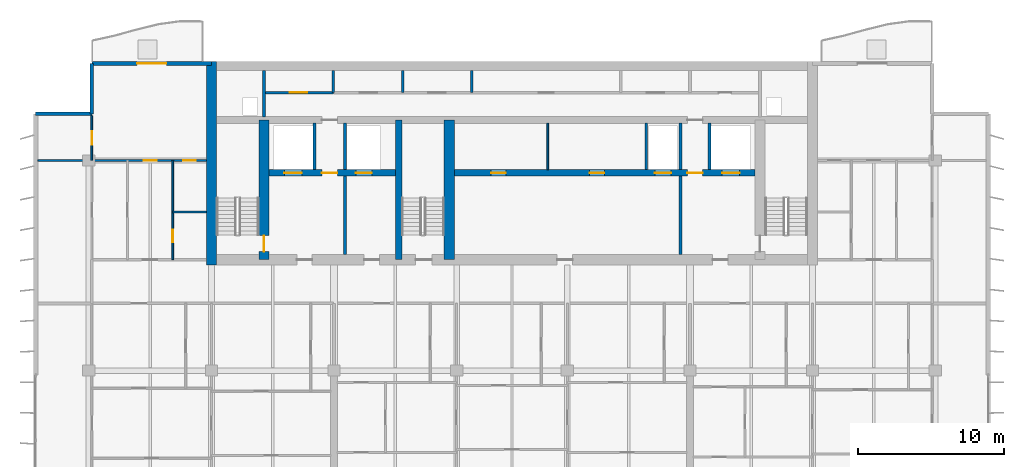
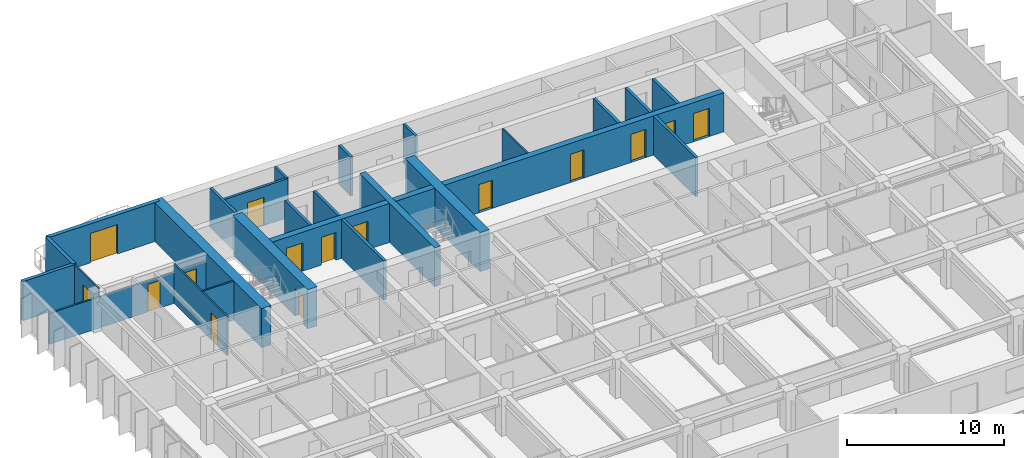
# One storey, part 10 of 16: 25 walls, 15 doors, 15 openings.
"""IFC4 building model written with IfcOpenShell, lengths in metres."""

from ifc_helpers import new_model, si_unit, direction, frame, frame_2d, origin, place, context, subcontext, project, spatial, rectangle, extrude, material, layer, layer_set, type_object, element, fill, save


model = new_model("IFC4")

# Units and contexts
model_context = context("Model", 3, precision=1e-05, world=origin(), true_north=direction((0.0, 1.0)))
body_context = subcontext(model_context, "Body", "Model", "MODEL_VIEW")
ifc_project = project(units=[si_unit("LENGTHUNIT", "METRE"), si_unit("AREAUNIT", "SQUARE_METRE"), si_unit("VOLUMEUNIT", "CUBIC_METRE"), si_unit("PLANEANGLEUNIT", "RADIAN"), si_unit("MASSUNIT", "GRAM", prefix="KILO")], contexts=[model_context])

# Site, building, storey
site_placement = place(None, origin())
site = spatial("IfcSite", under=ifc_project, at=site_placement, CompositionType="ELEMENT")
building_placement = place(site_placement, origin())
building = spatial("IfcBuilding", under=site, at=building_placement, Name="Caelmar Bay Residences", CompositionType="ELEMENT")
storey_placement = place(building_placement, frame((0.0, 0.0, 211.5)))
storey = spatial("IfcBuildingStorey", under=building, at=storey_placement, Name="L59", CompositionType="ELEMENT", Elevation=211.5)

# Wall
ifc_material_1 = material(Name="Concrete f'c 55 MPa (8,000 psi)", Category="concrete")
ifc_layer_1 = layer(ifc_material_1, 0.699951171875)
ifc_layer_set_1 = layer_set([ifc_layer_1], Name="Concrete f'c 55 MPa (8,000 psi)")
wall_type_1 = type_object("IfcWallType", Name="SW-COR-700", PredefinedType="SHEAR", material=ifc_layer_set_1)
wall_1_placement = place(storey_placement, frame((18.300048828125, 36.64990234375, 0.0), z_axis=(0.0, 0.0, 1.0), x_axis=(0.0, 1.0, 0.0)))
element("IfcWall", 1, at=wall_1_placement, inside=storey, type_object=wall_type_1, Name="L59 Rear Core West Shear Wall", PredefinedType="SHEAR", context=body_context, shape_type="SweptSolid", body=[
    extrude(rectangle(XDim=13.9501953125, YDim=0.699951171875, at=frame_2d((6.97509765625, 0.0))), origin(), (0.0, 0.0, 1.0), 3.050048828125),
])

# Wall, opening, door
wall_2_placement = place(storey_placement, frame((21.89990234375, 37.0, 0.0), z_axis=(0.0, 0.0, 1.0), x_axis=(0.0, 1.0, 0.0)))
wall_2 = element("IfcWall", 2, at=wall_2_placement, inside=storey, type_object=wall_type_1, Name="L59 Core Structural Web Wall ST1E", PredefinedType="SHEAR", context=body_context, shape_type="SweptSolid", body=[
    extrude(rectangle(XDim=9.574951171875, YDim=0.699951171875, at=frame_2d((4.78759765625, 0.0))), origin(), (0.0, 0.0, 1.0), 3.050048828125),
])
opening_1_placement = place(wall_2_placement, frame((0.550048828125, 0.0, 0.0)))
opening_1 = element("IfcOpeningElement", 3, at=opening_1_placement, cuts=wall_2, Name="Opening D-L59-107", PredefinedType="OPENING", context=body_context, shape_type="SweptSolid", body=[
    extrude(rectangle(XDim=1.10009765625, YDim=2.14990234375, at=frame_2d((0.550048828125, 1.074951171875))), frame((0.0, 0.35986328125, 0.0), z_axis=(0.0, -1.0, 0.0), x_axis=(1.0, 0.0, 0.0)), (0.0, 0.0, 1.0), 0.719970703125),
])
ifc_material_2 = material(Name="Fire-rated steel and walnut architectural door assembly", Category="steel")
ifc_layer_2 = layer(ifc_material_2, 0.050048828125)
ifc_layer_set_2 = layer_set([ifc_layer_2], Name="Fire-rated steel and walnut architectural door assembly")
door_type_1 = type_object("IfcDoorType", Name="D-STAIR-1100", OperationType="NOTDEFINED", PredefinedType="DOOR", material=ifc_layer_set_2)
door_1_placement = place(opening_1_placement, origin())
door_1 = element("IfcDoor", 4, at=door_1_placement, inside=storey, type_object=door_type_1, Name="L59 Firefighting Lobby West Door", OperationType="SINGLE_SWING_LEFT", OverallHeight=2.14990234375, OverallWidth=1.10009765625, PredefinedType="DOOR", context=body_context, shape_type="SweptSolid", body=[
    extrude(rectangle(XDim=1.10009765625, YDim=2.14990234375, at=frame_2d((0.550048828125, 1.074951171875))), frame((0.0, 0.02490234375, 0.0), z_axis=(0.0, -1.0, 0.0), x_axis=(1.0, 0.0, 0.0)), (0.0, 0.0, 1.0), 0.050048828125),
])
fill(opening_1, door_1)

# Walls
wall_3_placement = place(storey_placement, frame((34.60009765625, 37.0, 0.0), z_axis=(0.0, 0.0, 1.0), x_axis=(0.0, 1.0, 0.0)))
element("IfcWall", 5, at=wall_3_placement, inside=storey, type_object=wall_type_1, Name="L59 Core Structural Web Wall ST3E", PredefinedType="SHEAR", context=body_context, shape_type="SweptSolid", body=[
    extrude(rectangle(XDim=9.574951171875, YDim=0.699951171875, at=frame_2d((4.78759765625, 0.0))), origin(), (0.0, 0.0, 1.0), 3.050048828125),
])
ifc_material_3 = material(Name="Concrete f'c 70 MPa (10,000 psi)", Category="concrete")
ifc_layer_3 = layer(ifc_material_3, 0.449951171875)
ifc_layer_set_3 = layer_set([ifc_layer_3], Name="Concrete f'c 70 MPa (10,000 psi)")
wall_type_2 = type_object("IfcWallType", Name="SW-WEB-450", PredefinedType="SHEAR", material=ifc_layer_set_3)
wall_4_placement = place(storey_placement, frame((31.125, 37.0, 0.0), z_axis=(0.0, 0.0, 1.0), x_axis=(0.0, 1.0, 0.0)))
element("IfcWall", 6, at=wall_4_placement, inside=storey, type_object=wall_type_2, Name="L59 Core Structural Web Wall ST3W", PredefinedType="SHEAR", context=body_context, shape_type="SweptSolid", body=[
    extrude(rectangle(XDim=9.574951171875, YDim=0.449951171875, at=frame_2d((4.78759765625, 0.0))), origin(), (0.0, 0.0, 1.0), 3.050048828125),
])

# Wall, openings, doors
wall_5_placement = place(storey_placement, frame((22.25, 42.949951171875, 0.0), z_axis=(0.0, 0.0, 1.0), x_axis=(1.0, 0.0, 0.0)))
wall_5 = element("IfcWall", 7, at=wall_5_placement, inside=storey, type_object=wall_type_2, Name="L59 Core Structural Web Wall LFR", PredefinedType="SHEAR", context=body_context, shape_type="SweptSolid", body=[
    extrude(rectangle(XDim=33.300048828125, YDim=0.449951171875, at=frame_2d((16.64990234375, 0.0))), origin(), (0.0, 0.0, 1.0), 3.050048828125),
])
opening_2_placement = place(wall_5_placement, frame((1.050048828125, 0.0, 0.0)))
opening_2 = element("IfcOpeningElement", 8, at=opening_2_placement, cuts=wall_5, Name="Opening LD2", PredefinedType="OPENING", context=body_context, shape_type="SweptSolid", body=[
    extrude(rectangle(XDim=1.199951171875, YDim=2.199951171875, at=frame_2d((0.60009765625, 1.10009765625))), frame((0.0, 0.23486328125, 0.0), z_axis=(0.0, -1.0, 0.0), x_axis=(1.0, 0.0, 0.0)), (0.0, 0.0, 1.0), 0.469970703125),
])
opening_3_placement = place(wall_5_placement, frame((31.050048828125, 0.0, 0.0)))
opening_3 = element("IfcOpeningElement", 9, at=opening_3_placement, cuts=wall_5, Name="Opening LD2", PredefinedType="OPENING", context=body_context, shape_type="SweptSolid", body=[
    extrude(rectangle(XDim=1.199951171875, YDim=2.199951171875, at=frame_2d((0.60009765625, 1.10009765625))), frame((0.0, 0.23486328125, 0.0), z_axis=(0.0, -1.0, 0.0), x_axis=(1.0, 0.0, 0.0)), (0.0, 0.0, 1.0), 0.469970703125),
])
opening_4_placement = place(wall_5_placement, frame((26.449951171875, 0.0, 0.0)))
opening_4 = element("IfcOpeningElement", 10, at=opening_4_placement, cuts=wall_5, Name="Opening LD1", PredefinedType="OPENING", context=body_context, shape_type="SweptSolid", body=[
    extrude(rectangle(XDim=1.10009765625, YDim=2.199951171875, at=frame_2d((0.550048828125, 1.10009765625))), frame((0.0, 0.23486328125, 0.0), z_axis=(0.0, -1.0, 0.0), x_axis=(1.0, 0.0, 0.0)), (0.0, 0.0, 1.0), 0.469970703125),
])
opening_5_placement = place(wall_5_placement, frame((5.949951171875, 0.0, 0.0)))
opening_5 = element("IfcOpeningElement", 11, at=opening_5_placement, cuts=wall_5, Name="Opening LD1", PredefinedType="OPENING", context=body_context, shape_type="SweptSolid", body=[
    extrude(rectangle(XDim=1.10009765625, YDim=2.199951171875, at=frame_2d((0.550048828125, 1.10009765625))), frame((0.0, 0.23486328125, 0.0), z_axis=(0.0, -1.0, 0.0), x_axis=(1.0, 0.0, 0.0)), (0.0, 0.0, 1.0), 0.469970703125),
])
opening_6_placement = place(wall_5_placement, frame((3.625, 0.0, 0.0)))
opening_6 = element("IfcOpeningElement", 12, at=opening_6_placement, cuts=wall_5, Name="Opening D-L59-108", PredefinedType="OPENING", context=body_context, shape_type="SweptSolid", body=[
    extrude(rectangle(XDim=1.050048828125, YDim=2.14990234375, at=frame_2d((0.52490234375, 1.074951171875))), frame((0.0, 0.23486328125, 0.0), z_axis=(0.0, -1.0, 0.0), x_axis=(1.0, 0.0, 0.0)), (0.0, 0.0, 1.0), 0.469970703125),
])
opening_7_placement = place(wall_5_placement, frame((28.675048828125, 0.0, 0.0)))
opening_7 = element("IfcOpeningElement", 13, at=opening_7_placement, cuts=wall_5, Name="Opening D-L59-111", PredefinedType="OPENING", context=body_context, shape_type="SweptSolid", body=[
    extrude(rectangle(XDim=1.050048828125, YDim=2.14990234375, at=frame_2d((0.52490234375, 1.074951171875))), frame((0.0, 0.23486328125, 0.0), z_axis=(0.0, -1.0, 0.0), x_axis=(1.0, 0.0, 0.0)), (0.0, 0.0, 1.0), 0.469970703125),
])
opening_8_placement = place(wall_5_placement, frame((15.22509765625, 0.0, 0.0)))
opening_8 = element("IfcOpeningElement", 14, at=opening_8_placement, cuts=wall_5, Name="Opening D-L59-114", PredefinedType="OPENING", context=body_context, shape_type="SweptSolid", body=[
    extrude(rectangle(XDim=1.0, YDim=2.199951171875, at=frame_2d((0.5, 1.10009765625))), frame((0.0, 0.23486328125, 0.0), z_axis=(0.0, -1.0, 0.0), x_axis=(1.0, 0.0, 0.0)), (0.0, 0.0, 1.0), 0.469970703125),
])
opening_9_placement = place(wall_5_placement, frame((21.97509765625, 0.0, 0.0)))
opening_9 = element("IfcOpeningElement", 15, at=opening_9_placement, cuts=wall_5, Name="Opening D-L59-115", PredefinedType="OPENING", context=body_context, shape_type="SweptSolid", body=[
    extrude(rectangle(XDim=1.0, YDim=2.199951171875, at=frame_2d((0.5, 1.10009765625))), frame((0.0, 0.23486328125, 0.0), z_axis=(0.0, -1.0, 0.0), x_axis=(1.0, 0.0, 0.0)), (0.0, 0.0, 1.0), 0.469970703125),
])
ifc_layer_4 = layer(ifc_material_2, 0.050048828125)
ifc_layer_set_4 = layer_set([ifc_layer_4], Name="Fire-rated steel and walnut architectural door assembly")
door_type_2 = type_object("IfcDoorType", Name="D-FSAE-1050", OperationType="NOTDEFINED", PredefinedType="DOOR", material=ifc_layer_set_4)
door_2_placement = place(opening_6_placement, origin())
door_2 = element("IfcDoor", 16, at=door_2_placement, inside=storey, type_object=door_type_2, Name="L59 Firefighting Lobby West Door", OperationType="SINGLE_SWING_RIGHT", OverallHeight=2.14990234375, OverallWidth=1.050048828125, PredefinedType="DOOR", context=body_context, shape_type="SweptSolid", body=[
    extrude(rectangle(XDim=1.050048828125, YDim=2.14990234375, at=frame_2d((0.52490234375, 1.074951171875))), frame((0.0, 0.02490234375, 0.0), z_axis=(0.0, -1.0, 0.0), x_axis=(1.0, 0.0, 0.0)), (0.0, 0.0, 1.0), 0.050048828125),
])
fill(opening_6, door_2)
door_3_placement = place(opening_7_placement, origin())
door_3 = element("IfcDoor", 17, at=door_3_placement, inside=storey, type_object=door_type_2, Name="L59 Firefighting Lobby East Door", OperationType="SINGLE_SWING_LEFT", OverallHeight=2.14990234375, OverallWidth=1.050048828125, PredefinedType="DOOR", context=body_context, shape_type="SweptSolid", body=[
    extrude(rectangle(XDim=1.050048828125, YDim=2.14990234375, at=frame_2d((0.52490234375, 1.074951171875))), frame((0.0, 0.02490234375, 0.0), z_axis=(0.0, -1.0, 0.0), x_axis=(1.0, 0.0, 0.0)), (0.0, 0.0, 1.0), 0.050048828125),
])
fill(opening_7, door_3)
ifc_material_4 = material(Name="Brushed bronze stainless-steel fire-rated lift landing doors", Category="steel")
ifc_layer_5 = layer(ifc_material_4, 0.050048828125)
ifc_layer_set_5 = layer_set([ifc_layer_5], Name="Brushed bronze stainless-steel fire-rated lift landing doors")
door_type_3 = type_object("IfcDoorType", Name="D-LND-1100", OperationType="DOUBLE_DOOR_SLIDING", PredefinedType="DOOR", material=ifc_layer_set_5)
door_4_placement = place(opening_4_placement, origin())
door_4 = element("IfcDoor", 18, at=door_4_placement, inside=storey, type_object=door_type_3, Name="L59 LP6 Sliding Landing Door", OperationType="DOUBLE_DOOR_SLIDING", OverallHeight=2.199951171875, OverallWidth=1.10009765625, PredefinedType="DOOR", context=body_context, shape_type="SweptSolid", body=[
    extrude(rectangle(XDim=1.10009765625, YDim=2.199951171875, at=frame_2d((0.550048828125, 1.10009765625))), frame((0.0, 0.02490234375, 0.0), z_axis=(0.0, -1.0, 0.0), x_axis=(1.0, 0.0, 0.0)), (0.0, 0.0, 1.0), 0.050048828125),
])
fill(opening_4, door_4)
door_5_placement = place(opening_5_placement, origin())
door_5 = element("IfcDoor", 19, at=door_5_placement, inside=storey, type_object=door_type_3, Name="L59 LP7 Sliding Landing Door", OperationType="DOUBLE_DOOR_SLIDING", OverallHeight=2.199951171875, OverallWidth=1.10009765625, PredefinedType="DOOR", context=body_context, shape_type="SweptSolid", body=[
    extrude(rectangle(XDim=1.10009765625, YDim=2.199951171875, at=frame_2d((0.550048828125, 1.10009765625))), frame((0.0, 0.02490234375, 0.0), z_axis=(0.0, -1.0, 0.0), x_axis=(1.0, 0.0, 0.0)), (0.0, 0.0, 1.0), 0.050048828125),
])
fill(opening_5, door_5)
ifc_material_5 = material(Name="Brushed stainless-steel FSAE sliding landing door", Category="steel")
ifc_layer_6 = layer(ifc_material_5, 0.050048828125)
ifc_layer_set_6 = layer_set([ifc_layer_6], Name="Brushed stainless-steel FSAE sliding landing door")
door_type_4 = type_object("IfcDoorType", Name="D-LND-1200", OperationType="DOUBLE_DOOR_SLIDING", PredefinedType="DOOR", material=ifc_layer_set_6)
door_6_placement = place(opening_2_placement, origin())
door_6 = element("IfcDoor", 20, at=door_6_placement, inside=storey, type_object=door_type_4, Name="L59 LF1 Sliding Landing Door", OperationType="DOUBLE_DOOR_SLIDING", OverallHeight=2.199951171875, OverallWidth=1.199951171875, PredefinedType="DOOR", context=body_context, shape_type="SweptSolid", body=[
    extrude(rectangle(XDim=1.199951171875, YDim=2.199951171875, at=frame_2d((0.60009765625, 1.10009765625))), frame((0.0, 0.02490234375, 0.0), z_axis=(0.0, -1.0, 0.0), x_axis=(1.0, 0.0, 0.0)), (0.0, 0.0, 1.0), 0.050048828125),
])
fill(opening_2, door_6)
door_7_placement = place(opening_3_placement, origin())
door_7 = element("IfcDoor", 21, at=door_7_placement, inside=storey, type_object=door_type_4, Name="L59 LF2 Sliding Landing Door", OperationType="DOUBLE_DOOR_SLIDING", OverallHeight=2.199951171875, OverallWidth=1.199951171875, PredefinedType="DOOR", context=body_context, shape_type="SweptSolid", body=[
    extrude(rectangle(XDim=1.199951171875, YDim=2.199951171875, at=frame_2d((0.60009765625, 1.10009765625))), frame((0.0, 0.02490234375, 0.0), z_axis=(0.0, -1.0, 0.0), x_axis=(1.0, 0.0, 0.0)), (0.0, 0.0, 1.0), 0.050048828125),
])
fill(opening_3, door_7)
ifc_layer_7 = layer(ifc_material_2, 0.050048828125)
ifc_layer_set_7 = layer_set([ifc_layer_7], Name="Fire-rated steel and walnut architectural door assembly")
door_type_5 = type_object("IfcDoorType", Name="D-UNIT-1000", OperationType="NOTDEFINED", PredefinedType="DOOR", material=ifc_layer_set_7)
door_8_placement = place(opening_8_placement, origin())
door_8 = element("IfcDoor", 22, at=door_8_placement, inside=storey, type_object=door_type_5, Name="L59 Music Study Room Door", OperationType="SINGLE_SWING_RIGHT", OverallHeight=2.199951171875, OverallWidth=1.0, PredefinedType="DOOR", context=body_context, shape_type="SweptSolid", body=[
    extrude(rectangle(XDim=1.0, YDim=2.199951171875, at=frame_2d((0.5, 1.10009765625))), frame((0.0, 0.02490234375, 0.0), z_axis=(0.0, -1.0, 0.0), x_axis=(1.0, 0.0, 0.0)), (0.0, 0.0, 1.0), 0.050048828125),
])
fill(opening_8, door_8)
door_9_placement = place(opening_9_placement, origin())
door_9 = element("IfcDoor", 23, at=door_9_placement, inside=storey, type_object=door_type_5, Name="L59 Board Meeting Room Door", OperationType="SINGLE_SWING_LEFT", OverallHeight=2.199951171875, OverallWidth=1.0, PredefinedType="DOOR", context=body_context, shape_type="SweptSolid", body=[
    extrude(rectangle(XDim=1.0, YDim=2.199951171875, at=frame_2d((0.5, 1.10009765625))), frame((0.0, 0.02490234375, 0.0), z_axis=(0.0, -1.0, 0.0), x_axis=(1.0, 0.0, 0.0)), (0.0, 0.0, 1.0), 0.050048828125),
])
fill(opening_9, door_9)

# Walls
ifc_material_6 = material(Name="Double-stud acoustic fire-rated gypsum partition 180 mm")
ifc_layer_8 = layer(ifc_material_6, 0.179931640625)
ifc_layer_set_8 = layer_set([ifc_layer_8], Name="Double-stud acoustic fire-rated gypsum partition 180 mm")
wall_type_3 = type_object("IfcWallType", Name="W-COR-200", PredefinedType="PARTITIONING", material=ifc_layer_set_8)
for number, where, z_axis, x_axis, name in (
    (24, (26.64990234375, 48.449951171875, 0.0), (0.0, 0.0, 1.0), (0.0, 1.0, 0.0), "L59 Partition Wall V013"),
    (25, (31.39990234375, 48.449951171875, 0.0), (0.0, 0.0, 1.0), (0.0, 1.0, 0.0), "L59 Partition Wall V020"),
    (26, (36.14990234375, 48.449951171875, 0.0), (0.0, 0.0, 1.0), (0.0, 1.0, 0.0), "L59 Partition Wall V024"),
):
    element("IfcWall", number, at=place(storey_placement, frame(where, z_axis=z_axis, x_axis=x_axis)), inside=storey, type_object=wall_type_3, Name=name, PredefinedType="PARTITIONING", context=body_context, shape_type="SweptSolid", body=[
        extrude(rectangle(XDim=1.505126953125, YDim=0.179931640625, at=frame_2d((0.75244140625, 0.0))), origin(), (0.0, 0.0, 1.0), 3.050048828125),
    ])

# Wall, opening, door
wall_6_placement = place(storey_placement, frame((21.89990234375, 48.449951171875, 0.0), z_axis=(0.0, 0.0, 1.0), x_axis=(1.0, 0.0, 0.0)))
wall_6 = element("IfcWall", 27, at=wall_6_placement, inside=storey, type_object=wall_type_3, Name="L59 Partition Wall H078", PredefinedType="PARTITIONING", context=body_context, shape_type="SweptSolid", body=[
    extrude(rectangle(XDim=4.75, YDim=0.179931640625, at=frame_2d((2.375, 0.0))), origin(), (0.0, 0.0, 1.0), 3.050048828125),
])
opening_10_placement = place(wall_6_placement, frame((1.77490234375, 0.0, 0.0)))
opening_10 = element("IfcOpeningElement", 28, at=opening_10_placement, cuts=wall_6, Name="Opening D-L59-118", PredefinedType="OPENING", context=body_context, shape_type="SweptSolid", body=[
    extrude(rectangle(XDim=1.199951171875, YDim=2.199951171875, at=frame_2d((0.60009765625, 1.10009765625))), frame((0.0, 0.099853515625, 0.0), z_axis=(0.0, -1.0, 0.0), x_axis=(1.0, 0.0, 0.0)), (0.0, 0.0, 1.0), 0.199951171875),
])
ifc_layer_9 = layer(ifc_material_2, 0.050048828125)
ifc_layer_set_9 = layer_set([ifc_layer_9], Name="Fire-rated steel and walnut architectural door assembly")
door_type_6 = type_object("IfcDoorType", Name="D-PLANT-1200", OperationType="NOTDEFINED", PredefinedType="DOOR", material=ifc_layer_set_9)
door_10_placement = place(opening_10_placement, origin())
door_10 = element("IfcDoor", 29, at=door_10_placement, inside=storey, type_object=door_type_6, Name="L59 Branch Panel Closet Door", OperationType="SINGLE_SWING_RIGHT", OverallHeight=2.199951171875, OverallWidth=1.199951171875, PredefinedType="DOOR", context=body_context, shape_type="SweptSolid", body=[
    extrude(rectangle(XDim=1.199951171875, YDim=2.199951171875, at=frame_2d((0.60009765625, 1.10009765625))), frame((0.0, 0.02490234375, 0.0), z_axis=(0.0, -1.0, 0.0), x_axis=(1.0, 0.0, 0.0)), (0.0, 0.0, 1.0), 0.050048828125),
])
fill(opening_10, door_10)

# Walls
ifc_material_7 = material(Name="Precast concrete f'c 40 MPa (6,000 psi)", Category="concrete")
ifc_layer_10 = layer(ifc_material_7, 0.25)
ifc_layer_set_10 = layer_set([ifc_layer_10], Name="Precast concrete f'c 40 MPa (6,000 psi)")
wall_type_4 = type_object("IfcWallType", Name="W-EXT-250", PredefinedType="ELEMENTEDWALL", material=ifc_layer_set_10)
wall_7_placement = place(storey_placement, frame((6.25, 47.0, 0.0), z_axis=(0.0, 0.0, 1.0), x_axis=(1.0, 0.0, 0.0)))
element("IfcWall", 30, at=wall_7_placement, inside=storey, type_object=wall_type_4, Name="L59 NNW-H Notch Wall", PredefinedType="ELEMENTEDWALL", context=body_context, shape_type="SweptSolid", body=[
    extrude(rectangle(XDim=3.85009765625, YDim=0.25, at=frame_2d((1.925048828125, 0.0))), origin(), (0.0, 0.0, 1.0), 3.050048828125),
])
wall_8_placement = place(storey_placement, frame((10.10009765625, 47.0, 0.0), z_axis=(0.0, 0.0, 1.0), x_axis=(0.0, 1.0, 0.0)))
element("IfcWall", 31, at=wall_8_placement, inside=storey, type_object=wall_type_4, Name="L59 NNW-V Notch Wall", PredefinedType="ELEMENTEDWALL", context=body_context, shape_type="SweptSolid", body=[
    extrude(rectangle(XDim=3.449951171875, YDim=0.25, at=frame_2d((1.72509765625, 0.0))), origin(), (0.0, 0.0, 1.0), 3.050048828125),
])

# Wall, opening, door
ifc_layer_11 = layer(ifc_material_7, 0.300048828125)
ifc_layer_set_11 = layer_set([ifc_layer_11], Name="Precast concrete f'c 40 MPa (6,000 psi)")
wall_type_5 = type_object("IfcWallType", Name="W-EXT-300", PredefinedType="STANDARD", material=ifc_layer_set_11)
wall_9_placement = place(storey_placement, frame((10.10009765625, 50.449951171875, 0.0), z_axis=(0.0, 0.0, 1.0), x_axis=(1.0, 0.0, 0.0)))
wall_9 = element("IfcWall", 32, at=wall_9_placement, inside=storey, type_object=wall_type_5, Name="L59 North-West Wing Exterior Wall", PredefinedType="STANDARD", context=body_context, shape_type="SweptSolid", body=[
    extrude(rectangle(XDim=8.199951171875, YDim=0.300048828125, at=frame_2d((4.10009765625, 0.0))), origin(), (0.0, 0.0, 1.0), 3.050048828125),
])
opening_11_placement = place(wall_9_placement, frame((3.10009765625, 0.0, 0.0)))
opening_11 = element("IfcOpeningElement", 33, at=opening_11_placement, cuts=wall_9, Name="Opening L59-BDNW", PredefinedType="OPENING", context=body_context, shape_type="SweptSolid", body=[
    extrude(rectangle(XDim=2.0, YDim=2.300048828125, at=frame_2d((1.0, 1.14990234375))), frame((0.0, 0.159912109375, 0.0), z_axis=(0.0, -1.0, 0.0), x_axis=(1.0, 0.0, 0.0)), (0.0, 0.0, 1.0), 0.320068359375),
])
ifc_material_8 = material(Name="Anodised bronze thermally broken sliding glass door", Category="glass")
ifc_layer_12 = layer(ifc_material_8, 0.050048828125)
ifc_layer_set_12 = layer_set([ifc_layer_12], Name="Anodised bronze thermally broken sliding glass door")
door_type_7 = type_object("IfcDoorType", Name="D-BAL-2000", OperationType="DOUBLE_DOOR_SLIDING", PredefinedType="DOOR", material=ifc_layer_set_12)
door_11_placement = place(opening_11_placement, origin())
door_11 = element("IfcDoor", 34, at=door_11_placement, inside=storey, type_object=door_type_7, Name="L59 North-West Balcony Door", OperationType="DOUBLE_DOOR_SLIDING", OverallHeight=2.300048828125, OverallWidth=2.0, PredefinedType="DOOR", context=body_context, shape_type="SweptSolid", body=[
    extrude(rectangle(XDim=2.0, YDim=2.300048828125, at=frame_2d((1.0, 1.14990234375))), frame((0.0, 0.02490234375, 0.0), z_axis=(0.0, -1.0, 0.0), x_axis=(1.0, 0.0, 0.0)), (0.0, 0.0, 1.0), 0.050048828125),
])
fill(opening_11, door_11)

# Walls
ifc_material_9 = material(Name="Fire-rated masonry and gypsum shaftliner assembly 200 mm", Category="masonry")
ifc_layer_13 = layer(ifc_material_9, 0.199951171875)
ifc_layer_set_13 = layer_set([ifc_layer_13], Name="Fire-rated masonry and gypsum shaftliner assembly 200 mm")
wall_type_6 = type_object("IfcWallType", Name="W-FSAE-200", PredefinedType="PARTITIONING", material=ifc_layer_set_13)
wall_10_placement = place(storey_placement, frame((21.89990234375, 46.794921875, 0.0), z_axis=(0.0, 0.0, 1.0), x_axis=(0.0, 1.0, 0.0)))
element("IfcWall", 35, at=wall_10_placement, inside=storey, type_object=wall_type_6, Name="L59 Partition Wall V010", PredefinedType="PARTITIONING", context=body_context, shape_type="SweptSolid", body=[
    extrude(rectangle(XDim=3.16015625, YDim=0.199951171875, at=frame_2d((1.580078125, 0.0))), origin(), (0.0, 0.0, 1.0), 3.050048828125),
])
wall_11_placement = place(storey_placement, frame((25.35009765625, 43.169921875, 0.0), z_axis=(0.0, 0.0, 1.0), x_axis=(0.0, 1.0, 0.0)))
element("IfcWall", 36, at=wall_11_placement, inside=storey, type_object=wall_type_6, Name="L59 Partition Wall V012", PredefinedType="PARTITIONING", context=body_context, shape_type="SweptSolid", body=[
    extrude(rectangle(XDim=3.18505859375, YDim=0.199951171875, at=frame_2d((1.592529296875, 0.0))), origin(), (0.0, 0.0, 1.0), 3.050048828125),
])
wall_12_placement = place(storey_placement, frame((27.449951171875, 37.344970703125, 0.0), z_axis=(0.0, 0.0, 1.0), x_axis=(0.0, 1.0, 0.0)))
element("IfcWall", 37, at=wall_12_placement, inside=storey, type_object=wall_type_6, Name="L59 Partition Wall V017", PredefinedType="PARTITIONING", context=body_context, shape_type="SweptSolid", body=[
    extrude(rectangle(XDim=5.385009765625, YDim=0.199951171875, at=frame_2d((2.6923828125, 0.0))), origin(), (0.0, 0.0, 1.0), 3.050048828125),
])
for number, where, z_axis, x_axis, name in (
    (38, (27.449951171875, 43.169921875, 0.0), (0.0, 0.0, 1.0), (0.0, 1.0, 0.0), "L59 Partition Wall V018"),
    (39, (48.10009765625, 43.169921875, 0.0), (0.0, 0.0, 1.0), (0.0, 1.0, 0.0), "L59 Partition Wall V030"),
):
    element("IfcWall", number, at=place(storey_placement, frame(where, z_axis=z_axis, x_axis=x_axis)), inside=storey, type_object=wall_type_6, Name=name, PredefinedType="PARTITIONING", context=body_context, shape_type="SweptSolid", body=[
        extrude(rectangle(XDim=3.18505859375, YDim=0.199951171875, at=frame_2d((1.592529296875, 0.0))), origin(), (0.0, 0.0, 1.0), 3.050048828125),
    ])
wall_13_placement = place(storey_placement, frame((50.449951171875, 37.344970703125, 0.0), z_axis=(0.0, 0.0, 1.0), x_axis=(0.0, 1.0, 0.0)))
element("IfcWall", 40, at=wall_13_placement, inside=storey, type_object=wall_type_6, Name="L59 Partition Wall V032", PredefinedType="PARTITIONING", context=body_context, shape_type="SweptSolid", body=[
    extrude(rectangle(XDim=5.385009765625, YDim=0.199951171875, at=frame_2d((2.6923828125, 0.0))), origin(), (0.0, 0.0, 1.0), 3.050048828125),
])
for number, where, z_axis, x_axis, name in (
    (41, (50.449951171875, 43.169921875, 0.0), (0.0, 0.0, 1.0), (0.0, 1.0, 0.0), "L59 Partition Wall V033"),
    (42, (52.449951171875, 43.169921875, 0.0), (0.0, 0.0, 1.0), (0.0, 1.0, 0.0), "L59 Partition Wall V038"),
):
    element("IfcWall", number, at=place(storey_placement, frame(where, z_axis=z_axis, x_axis=x_axis)), inside=storey, type_object=wall_type_6, Name=name, PredefinedType="PARTITIONING", context=body_context, shape_type="SweptSolid", body=[
        extrude(rectangle(XDim=3.18505859375, YDim=0.199951171875, at=frame_2d((1.592529296875, 0.0))), origin(), (0.0, 0.0, 1.0), 3.050048828125),
    ])

# Wall, opening, door
ifc_material_10 = material(Name="Acoustic metal-stud gypsum partition 120 mm")
ifc_layer_14 = layer(ifc_material_10, 0.1201171875)
ifc_layer_set_14 = layer_set([ifc_layer_14], Name="Acoustic metal-stud gypsum partition 120 mm")
wall_type_7 = type_object("IfcWallType", Name="W-PRT-120", PredefinedType="PARTITIONING", material=ifc_layer_set_14)
wall_14_placement = place(storey_placement, frame((10.10009765625, 43.804931640625, 0.0), z_axis=(0.0, 0.0, 1.0), x_axis=(0.0, 1.0, 0.0)))
wall_14 = element("IfcWall", 43, at=wall_14_placement, inside=storey, type_object=wall_type_7, Name="L59 Partition Wall V004", PredefinedType="PARTITIONING", context=body_context, shape_type="SweptSolid", body=[
    extrude(rectangle(XDim=3.074951171875, YDim=0.1201171875, at=frame_2d((1.53759765625, 0.0))), origin(), (0.0, 0.0, 1.0), 3.050048828125),
])
opening_12_placement = place(wall_14_placement, frame((1.08740234375, 0.0, 0.0)))
opening_12 = element("IfcOpeningElement", 44, at=opening_12_placement, cuts=wall_14, Name="Opening D-L59-166", PredefinedType="OPENING", context=body_context, shape_type="SweptSolid", body=[
    extrude(rectangle(XDim=0.89990234375, YDim=2.14990234375, at=frame_2d((0.449951171875, 1.074951171875))), frame((0.0, 0.070068359375, 0.0), z_axis=(0.0, -1.0, 0.0), x_axis=(1.0, 0.0, 0.0)), (0.0, 0.0, 1.0), 0.14013671875),
])
ifc_material_11 = material(Name="Solid walnut timber interior door leaf and frame", Category="wood")
ifc_layer_15 = layer(ifc_material_11, 0.050048828125)
ifc_layer_set_15 = layer_set([ifc_layer_15], Name="Solid walnut timber interior door leaf and frame")
door_type_8 = type_object("IfcDoorType", Name="D-ROOM-900", OperationType="NOTDEFINED", PredefinedType="DOOR", material=ifc_layer_set_15)
door_12_placement = place(opening_12_placement, origin())
door_12 = element("IfcDoor", 45, at=door_12_placement, inside=storey, type_object=door_type_8, Name="L59 Residence WA North Sitting Alcove Door", OperationType="SINGLE_SWING_RIGHT", OverallHeight=2.14990234375, OverallWidth=0.89990234375, PredefinedType="DOOR", context=body_context, shape_type="SweptSolid", body=[
    extrude(rectangle(XDim=0.89990234375, YDim=2.14990234375, at=frame_2d((0.449951171875, 1.074951171875))), frame((0.0, 0.02490234375, 0.0), z_axis=(0.0, -1.0, 0.0), x_axis=(1.0, 0.0, 0.0)), (0.0, 0.0, 1.0), 0.050048828125),
])
fill(opening_12, door_12)

wall_15_placement = place(storey_placement, frame((15.64990234375, 37.0, 0.0), z_axis=(0.0, 0.0, 1.0), x_axis=(0.0, 1.0, 0.0)))
wall_15 = element("IfcWall", 46, at=wall_15_placement, inside=storey, type_object=wall_type_7, Name="L59 Partition Wall V006", PredefinedType="PARTITIONING", context=body_context, shape_type="SweptSolid", body=[
    extrude(rectangle(XDim=6.800048828125, YDim=0.1201171875, at=frame_2d((3.39990234375, 0.0))), origin(), (0.0, 0.0, 1.0), 3.050048828125),
])
opening_13_placement = place(wall_15_placement, frame((1.20703125, 0.0, 0.0)))
opening_13 = element("IfcOpeningElement", 47, at=opening_13_placement, cuts=wall_15, Name="Opening D-L59-163", PredefinedType="OPENING", context=body_context, shape_type="SweptSolid", body=[
    extrude(rectangle(XDim=0.85009765625, YDim=2.10009765625, at=frame_2d((0.425048828125, 1.050048828125))), frame((0.0, 0.070068359375, 0.0), z_axis=(0.0, -1.0, 0.0), x_axis=(1.0, 0.0, 0.0)), (0.0, 0.0, 1.0), 0.14013671875),
])
ifc_layer_16 = layer(ifc_material_11, 0.050048828125)
ifc_layer_set_16 = layer_set([ifc_layer_16], Name="Solid walnut timber interior door leaf and frame")
door_type_9 = type_object("IfcDoorType", Name="D-BATH-850", OperationType="NOTDEFINED", PredefinedType="DOOR", material=ifc_layer_set_16)
door_13_placement = place(opening_13_placement, origin())
door_13 = element("IfcDoor", 48, at=door_13_placement, inside=storey, type_object=door_type_9, Name="L59 Residence WA Walk-In Closet Door", OperationType="SINGLE_SWING_LEFT", OverallHeight=2.10009765625, OverallWidth=0.85009765625, PredefinedType="DOOR", context=body_context, shape_type="SweptSolid", body=[
    extrude(rectangle(XDim=0.85009765625, YDim=2.10009765625, at=frame_2d((0.425048828125, 1.050048828125))), frame((0.0, 0.02490234375, 0.0), z_axis=(0.0, -1.0, 0.0), x_axis=(1.0, 0.0, 0.0)), (0.0, 0.0, 1.0), 0.050048828125),
])
fill(opening_13, door_13)

# Walls
wall_16_placement = place(storey_placement, frame((41.35009765625, 43.169921875, 0.0), z_axis=(0.0, 0.0, 1.0), x_axis=(0.0, 1.0, 0.0)))
element("IfcWall", 49, at=wall_16_placement, inside=storey, type_object=wall_type_7, Name="L59 Partition Wall V026", PredefinedType="PARTITIONING", context=body_context, shape_type="SweptSolid", body=[
    extrude(rectangle(XDim=3.18505859375, YDim=0.1201171875, at=frame_2d((1.592529296875, 0.0))), origin(), (0.0, 0.0, 1.0), 3.050048828125),
])
wall_17_placement = place(storey_placement, frame((15.64990234375, 40.263916015625, 0.0), z_axis=(0.0, 0.0, 1.0), x_axis=(1.0, 0.0, 0.0)))
element("IfcWall", 50, at=wall_17_placement, inside=storey, type_object=wall_type_7, Name="L59 Partition Wall H074", PredefinedType="PARTITIONING", context=body_context, shape_type="SweptSolid", body=[
    extrude(rectangle(XDim=2.30517578125, YDim=0.1201171875, at=frame_2d((1.152587890625, 0.0))), origin(), (0.0, 0.0, 1.0), 3.050048828125),
])

# Wall, openings, doors
wall_18_placement = place(storey_placement, frame((6.39501953125, 43.800048828125, 0.0), z_axis=(0.0, 0.0, 1.0), x_axis=(1.0, 0.0, 0.0)))
wall_18 = element("IfcWall", 51, at=wall_18_placement, inside=storey, type_object=wall_type_7, Name="L59 Partition Wall H076", PredefinedType="PARTITIONING", context=body_context, shape_type="SweptSolid", body=[
    extrude(rectangle(XDim=11.56005859375, YDim=0.1201171875, at=frame_2d((5.780029296875, 0.0))), origin(), (0.0, 0.0, 1.0), 2.41796875),
])
opening_14_placement = place(wall_18_placement, frame((7.2509765625, 0.0, 0.0)))
opening_14 = element("IfcOpeningElement", 52, at=opening_14_placement, cuts=wall_18, Name="Opening D-L59-162", PredefinedType="OPENING", context=body_context, shape_type="SweptSolid", body=[
    extrude(rectangle(XDim=0.89990234375, YDim=2.14990234375, at=frame_2d((0.449951171875, 1.074951171875))), frame((0.0, 0.070068359375, 0.0), z_axis=(0.0, -1.0, 0.0), x_axis=(1.0, 0.0, 0.0)), (0.0, 0.0, 1.0), 0.14013671875),
])
opening_15_placement = place(wall_18_placement, frame((9.982421875, 0.0, 0.0)))
opening_15 = element("IfcOpeningElement", 53, at=opening_15_placement, cuts=wall_18, Name="Opening D-L59-164", PredefinedType="OPENING", context=body_context, shape_type="SweptSolid", body=[
    extrude(rectangle(XDim=0.85009765625, YDim=2.10009765625, at=frame_2d((0.425048828125, 1.050048828125))), frame((0.0, 0.070068359375, 0.0), z_axis=(0.0, -1.0, 0.0), x_axis=(1.0, 0.0, 0.0)), (0.0, 0.0, 1.0), 0.14013671875),
])
door_14_placement = place(opening_15_placement, origin())
door_14 = element("IfcDoor", 54, at=door_14_placement, inside=storey, type_object=door_type_9, Name="L59 Residence WA Bathroom Door", OperationType="SINGLE_SWING_RIGHT", OverallHeight=2.10009765625, OverallWidth=0.85009765625, PredefinedType="DOOR", context=body_context, shape_type="SweptSolid", body=[
    extrude(rectangle(XDim=0.85009765625, YDim=2.10009765625, at=frame_2d((0.425048828125, 1.050048828125))), frame((0.0, 0.02490234375, 0.0), z_axis=(0.0, -1.0, 0.0), x_axis=(1.0, 0.0, 0.0)), (0.0, 0.0, 1.0), 0.050048828125),
])
fill(opening_15, door_14)
door_15_placement = place(opening_14_placement, origin())
door_15 = element("IfcDoor", 55, at=door_15_placement, inside=storey, type_object=door_type_8, Name="L59 Residence WA Studio Living and Sleeping Room Door", OperationType="SINGLE_SWING_RIGHT", OverallHeight=2.14990234375, OverallWidth=0.89990234375, PredefinedType="DOOR", context=body_context, shape_type="SweptSolid", body=[
    extrude(rectangle(XDim=0.89990234375, YDim=2.14990234375, at=frame_2d((0.449951171875, 1.074951171875))), frame((0.0, 0.02490234375, 0.0), z_axis=(0.0, -1.0, 0.0), x_axis=(1.0, 0.0, 0.0)), (0.0, 0.0, 1.0), 0.050048828125),
])
fill(opening_14, door_15)

save(model, "model.ifc")
